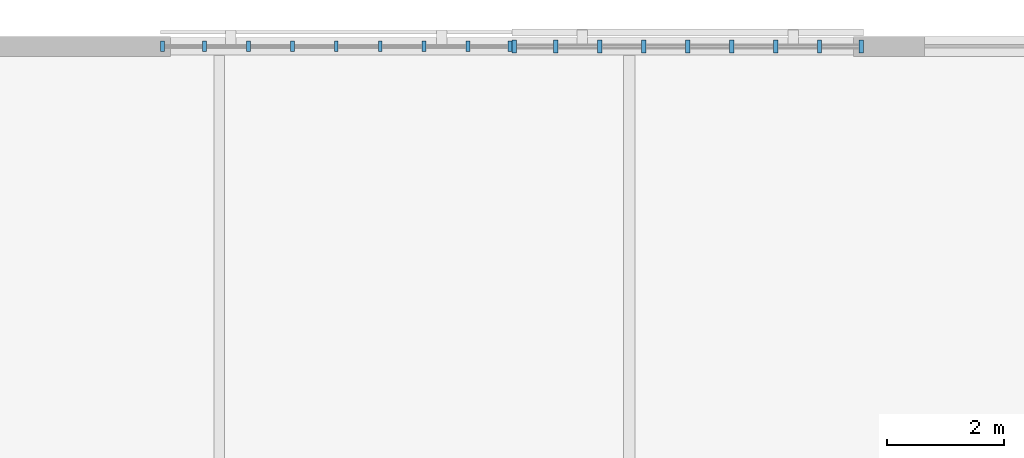
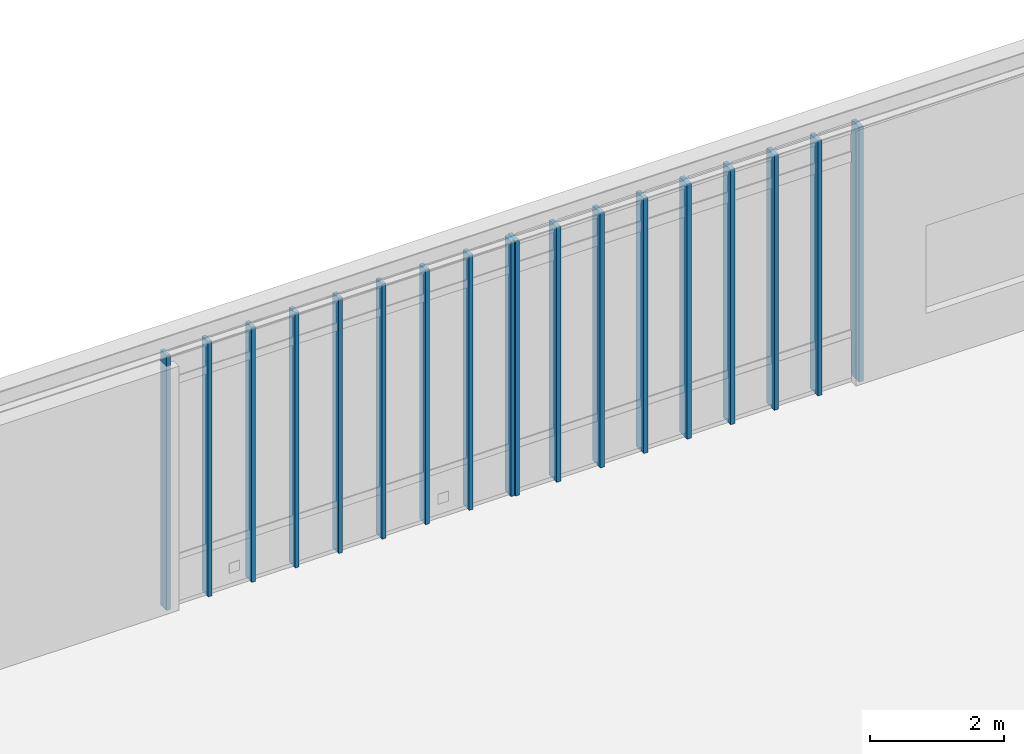
# One storey, part 24 of 135: 18 members, 2 elements without a shape of their own.
"""IFC4 building model written with IfcOpenShell, lengths in metres."""

from ifc_helpers import new_model, si_unit, direction, frame, origin, origin_2d, place, context, subcontext, project, spatial, rectangle, extrude, material, material_profile, profile_set, type_object, element, aggregate, save


model = new_model("IFC4")

# Units and contexts
model_context = context("Model", 3, precision=1e-05, world=origin(), true_north=direction((0.0, 1.0)))
body_context = subcontext(model_context, "Body", "Model", "MODEL_VIEW")
ifc_project = project(units=[si_unit("LENGTHUNIT", "METRE"), si_unit("AREAUNIT", "SQUARE_METRE"), si_unit("VOLUMEUNIT", "CUBIC_METRE"), si_unit("PLANEANGLEUNIT", "RADIAN"), si_unit("MASSUNIT", "GRAM", prefix="KILO")], contexts=[model_context])

# Site, building, storey
site_placement = place(None, origin())
site = spatial("IfcSite", under=ifc_project, at=site_placement, CompositionType="ELEMENT")
building_placement = place(site_placement, origin())
building = spatial("IfcBuilding", under=site, at=building_placement, Name="Larkvane Passage Sports Hall", CompositionType="ELEMENT")
storey_placement = place(building_placement, frame((0.0, 0.0, 16.800048828125)))
storey = spatial("IfcBuildingStorey", under=building, at=storey_placement, Name="L03", CompositionType="ELEMENT", Elevation=16.800048828125)

# Curtain wall, members
ifc_material_1 = material(Name="Thermally broken aluminium and low-E glazing", Category="aluminium")
curtain_wall_type_1 = type_object("IfcCurtainWallType", Name="CW-UNIT-COURT", PredefinedType="USERDEFINED", material=ifc_material_1)
curtain_wall_1_placement = place(storey_placement, origin())
curtain_wall_1 = element("IfcCurtainWall", 1, at=curtain_wall_1_placement, inside=storey, type_object=curtain_wall_type_1, Name="Curtain wall CW5-L03-136", ObjectType="UNITISED CURTAIN WALL", PredefinedType="USERDEFINED")
ifc_material_2 = material(Name="Anodised aluminium 6063-T6", Category="aluminium")
ifc_material_profile_1 = material_profile(ifc_material_2, rectangle(XDim=0.06494140625, YDim=0.179931640625, at=origin_2d()), Name="ALU-MUL-65x180")
ifc_profile_set_1 = profile_set([ifc_material_profile_1], Name="Anodised aluminium 6063-T6")
member_type_1 = type_object("IfcMemberType", Name="CW-MUL-65x180", PredefinedType="MULLION", material=ifc_profile_set_1)
member_1_placement = place(storey_placement, frame((40.83251953125, 114.39990234375, 0.0), z_axis=(0.0, 0.0, 1.0), x_axis=(1.0, 0.0, 0.0)))
member_1 = element("IfcMember", 2, at=member_1_placement, type_object=member_type_1, Name="CW-01 mullion 1", PredefinedType="MULLION", context=body_context, shape_type="SweptSolid", body=[
    extrude(rectangle(XDim=0.06494140625, YDim=0.179931640625, at=origin_2d()), origin(), (0.0, 0.0, 1.0), 4.64794921875),
])
member_2_placement = place(storey_placement, frame((41.550048828125, 114.39990234375, 0.0), z_axis=(0.0, 0.0, 1.0), x_axis=(1.0, 0.0, 0.0)))
member_2 = element("IfcMember", 3, at=member_2_placement, type_object=member_type_1, Name="CW-01 mullion 2", PredefinedType="MULLION", context=body_context, shape_type="SweptSolid", body=[
    extrude(rectangle(XDim=0.06494140625, YDim=0.179931640625, at=origin_2d()), origin(), (0.0, 0.0, 1.0), 4.64794921875),
])
member_3_placement = place(storey_placement, frame((42.300048828125, 114.39990234375, 0.0), z_axis=(0.0, 0.0, 1.0), x_axis=(1.0, 0.0, 0.0)))
member_3 = element("IfcMember", 4, at=member_3_placement, type_object=member_type_1, Name="CW-01 mullion 3", PredefinedType="MULLION", context=body_context, shape_type="SweptSolid", body=[
    extrude(rectangle(XDim=0.06494140625, YDim=0.179931640625, at=origin_2d()), origin(), (0.0, 0.0, 1.0), 4.64794921875),
])
member_4_placement = place(storey_placement, frame((43.050048828125, 114.39990234375, 0.0), z_axis=(0.0, 0.0, 1.0), x_axis=(1.0, 0.0, 0.0)))
member_4 = element("IfcMember", 5, at=member_4_placement, type_object=member_type_1, Name="CW-01 mullion 4", PredefinedType="MULLION", context=body_context, shape_type="SweptSolid", body=[
    extrude(rectangle(XDim=0.06494140625, YDim=0.179931640625, at=origin_2d()), origin(), (0.0, 0.0, 1.0), 4.64794921875),
])
member_5_placement = place(storey_placement, frame((43.800048828125, 114.39990234375, 0.0), z_axis=(0.0, 0.0, 1.0), x_axis=(1.0, 0.0, 0.0)))
member_5 = element("IfcMember", 6, at=member_5_placement, type_object=member_type_1, Name="CW-01 mullion 5", PredefinedType="MULLION", context=body_context, shape_type="SweptSolid", body=[
    extrude(rectangle(XDim=0.06494140625, YDim=0.179931640625, at=origin_2d()), origin(), (0.0, 0.0, 1.0), 4.64794921875),
])
member_6_placement = place(storey_placement, frame((44.550048828125, 114.39990234375, 0.0), z_axis=(0.0, 0.0, 1.0), x_axis=(1.0, 0.0, 0.0)))
member_6 = element("IfcMember", 7, at=member_6_placement, type_object=member_type_1, Name="CW-01 mullion 6", PredefinedType="MULLION", context=body_context, shape_type="SweptSolid", body=[
    extrude(rectangle(XDim=0.06494140625, YDim=0.179931640625, at=origin_2d()), origin(), (0.0, 0.0, 1.0), 4.64794921875),
])
member_7_placement = place(storey_placement, frame((45.300048828125, 114.39990234375, 0.0), z_axis=(0.0, 0.0, 1.0), x_axis=(1.0, 0.0, 0.0)))
member_7 = element("IfcMember", 8, at=member_7_placement, type_object=member_type_1, Name="CW-01 mullion 7", PredefinedType="MULLION", context=body_context, shape_type="SweptSolid", body=[
    extrude(rectangle(XDim=0.06494140625, YDim=0.179931640625, at=origin_2d()), origin(), (0.0, 0.0, 1.0), 4.64794921875),
])
member_8_placement = place(storey_placement, frame((46.050048828125, 114.39990234375, 0.0), z_axis=(0.0, 0.0, 1.0), x_axis=(1.0, 0.0, 0.0)))
member_8 = element("IfcMember", 9, at=member_8_placement, type_object=member_type_1, Name="CW-01 mullion 8", PredefinedType="MULLION", context=body_context, shape_type="SweptSolid", body=[
    extrude(rectangle(XDim=0.06494140625, YDim=0.179931640625, at=origin_2d()), origin(), (0.0, 0.0, 1.0), 4.64794921875),
])
member_9_placement = place(storey_placement, frame((46.767578125, 114.39990234375, 0.0), z_axis=(0.0, 0.0, 1.0), x_axis=(1.0, 0.0, 0.0)))
member_9 = element("IfcMember", 10, at=member_9_placement, type_object=member_type_1, Name="CW-01 mullion 9", PredefinedType="MULLION", context=body_context, shape_type="SweptSolid", body=[
    extrude(rectangle(XDim=0.06494140625, YDim=0.179931640625, at=origin_2d()), origin(), (0.0, 0.0, 1.0), 4.64794921875),
])
aggregate(curtain_wall_1, [member_1, member_2, member_3, member_4, member_5, member_6, member_7, member_8, member_9])

curtain_wall_type_2 = type_object("IfcCurtainWallType", Name="CW-UNIT-VEIL", PredefinedType="USERDEFINED", material=ifc_material_1)
curtain_wall_2_placement = place(storey_placement, origin())
curtain_wall_2 = element("IfcCurtainWall", 11, at=curtain_wall_2_placement, inside=storey, type_object=curtain_wall_type_2, Name="Curtain wall CW5-L03-137", ObjectType="UNITISED CURTAIN WALL", PredefinedType="USERDEFINED")
ifc_material_profile_2 = material_profile(ifc_material_2, rectangle(XDim=0.074951171875, YDim=0.22509765625, at=origin_2d()), Name="ALU-MUL-75x225")
ifc_profile_set_2 = profile_set([ifc_material_profile_2], Name="Anodised aluminium 6063-T6")
member_type_2 = type_object("IfcMemberType", Name="CW-MUL-75x225", PredefinedType="MULLION", material=ifc_profile_set_2)
member_10_placement = place(storey_placement, frame((46.83740234375, 114.39990234375, 0.0), z_axis=(0.0, 0.0, 1.0), x_axis=(1.0, 0.0, 0.0)))
member_10 = element("IfcMember", 12, at=member_10_placement, type_object=member_type_2, Name="CW-02 mullion 1", PredefinedType="MULLION", context=body_context, shape_type="SweptSolid", body=[
    extrude(rectangle(XDim=0.074951171875, YDim=0.22509765625, at=origin_2d()), origin(), (0.0, 0.0, 1.0), 4.64794921875),
])
member_11_placement = place(storey_placement, frame((47.550048828125, 114.39990234375, 0.0), z_axis=(0.0, 0.0, 1.0), x_axis=(1.0, 0.0, 0.0)))
member_11 = element("IfcMember", 13, at=member_11_placement, type_object=member_type_2, Name="CW-02 mullion 2", PredefinedType="MULLION", context=body_context, shape_type="SweptSolid", body=[
    extrude(rectangle(XDim=0.074951171875, YDim=0.22509765625, at=origin_2d()), origin(), (0.0, 0.0, 1.0), 4.64794921875),
])
member_12_placement = place(storey_placement, frame((48.300048828125, 114.39990234375, 0.0), z_axis=(0.0, 0.0, 1.0), x_axis=(1.0, 0.0, 0.0)))
member_12 = element("IfcMember", 14, at=member_12_placement, type_object=member_type_2, Name="CW-02 mullion 3", PredefinedType="MULLION", context=body_context, shape_type="SweptSolid", body=[
    extrude(rectangle(XDim=0.074951171875, YDim=0.22509765625, at=origin_2d()), origin(), (0.0, 0.0, 1.0), 4.64794921875),
])
member_13_placement = place(storey_placement, frame((49.050048828125, 114.39990234375, 0.0), z_axis=(0.0, 0.0, 1.0), x_axis=(1.0, 0.0, 0.0)))
member_13 = element("IfcMember", 15, at=member_13_placement, type_object=member_type_2, Name="CW-02 mullion 4", PredefinedType="MULLION", context=body_context, shape_type="SweptSolid", body=[
    extrude(rectangle(XDim=0.074951171875, YDim=0.22509765625, at=origin_2d()), origin(), (0.0, 0.0, 1.0), 4.64794921875),
])
member_14_placement = place(storey_placement, frame((49.800048828125, 114.39990234375, 0.0), z_axis=(0.0, 0.0, 1.0), x_axis=(1.0, 0.0, 0.0)))
member_14 = element("IfcMember", 16, at=member_14_placement, type_object=member_type_2, Name="CW-02 mullion 5", PredefinedType="MULLION", context=body_context, shape_type="SweptSolid", body=[
    extrude(rectangle(XDim=0.074951171875, YDim=0.22509765625, at=origin_2d()), origin(), (0.0, 0.0, 1.0), 4.64794921875),
])
member_15_placement = place(storey_placement, frame((50.550048828125, 114.39990234375, 0.0), z_axis=(0.0, 0.0, 1.0), x_axis=(1.0, 0.0, 0.0)))
member_15 = element("IfcMember", 17, at=member_15_placement, type_object=member_type_2, Name="CW-02 mullion 6", PredefinedType="MULLION", context=body_context, shape_type="SweptSolid", body=[
    extrude(rectangle(XDim=0.074951171875, YDim=0.22509765625, at=origin_2d()), origin(), (0.0, 0.0, 1.0), 4.64794921875),
])
member_16_placement = place(storey_placement, frame((51.300048828125, 114.39990234375, 0.0), z_axis=(0.0, 0.0, 1.0), x_axis=(1.0, 0.0, 0.0)))
member_16 = element("IfcMember", 18, at=member_16_placement, type_object=member_type_2, Name="CW-02 mullion 7", PredefinedType="MULLION", context=body_context, shape_type="SweptSolid", body=[
    extrude(rectangle(XDim=0.074951171875, YDim=0.22509765625, at=origin_2d()), origin(), (0.0, 0.0, 1.0), 4.64794921875),
])
member_17_placement = place(storey_placement, frame((52.050048828125, 114.39990234375, 0.0), z_axis=(0.0, 0.0, 1.0), x_axis=(1.0, 0.0, 0.0)))
member_17 = element("IfcMember", 19, at=member_17_placement, type_object=member_type_2, Name="CW-02 mullion 8", PredefinedType="MULLION", context=body_context, shape_type="SweptSolid", body=[
    extrude(rectangle(XDim=0.074951171875, YDim=0.22509765625, at=origin_2d()), origin(), (0.0, 0.0, 1.0), 4.64794921875),
])
member_18_placement = place(storey_placement, frame((52.762451171875, 114.39990234375, 0.0), z_axis=(0.0, 0.0, 1.0), x_axis=(1.0, 0.0, 0.0)))
member_18 = element("IfcMember", 20, at=member_18_placement, type_object=member_type_2, Name="CW-02 mullion 9", PredefinedType="MULLION", context=body_context, shape_type="SweptSolid", body=[
    extrude(rectangle(XDim=0.074951171875, YDim=0.22509765625, at=origin_2d()), origin(), (0.0, 0.0, 1.0), 4.64794921875),
])
aggregate(curtain_wall_2, [member_10, member_11, member_12, member_13, member_14, member_15, member_16, member_17, member_18])

save(model, "model.ifc")
